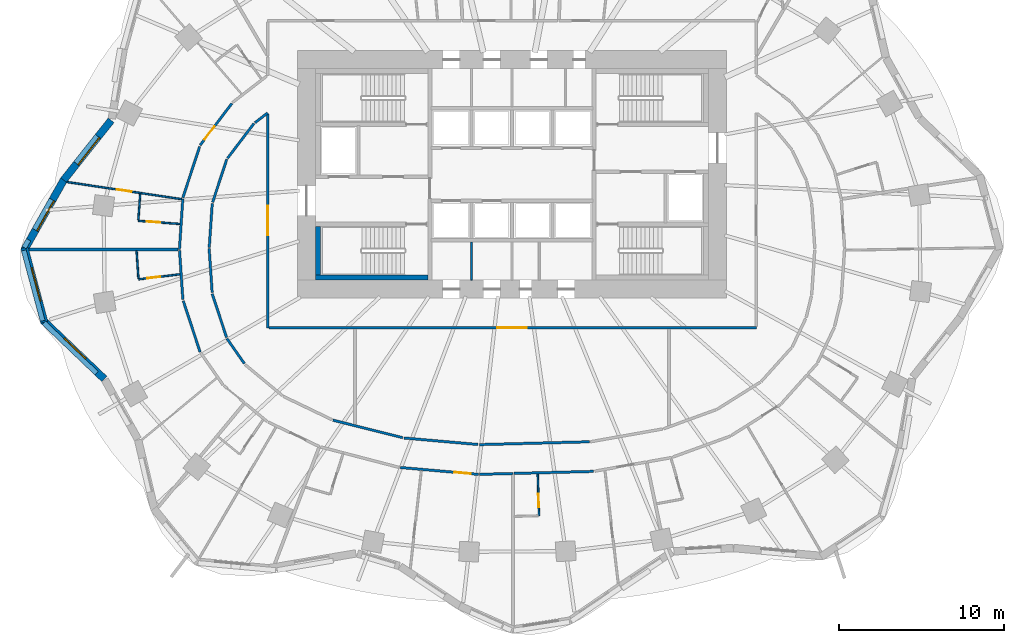
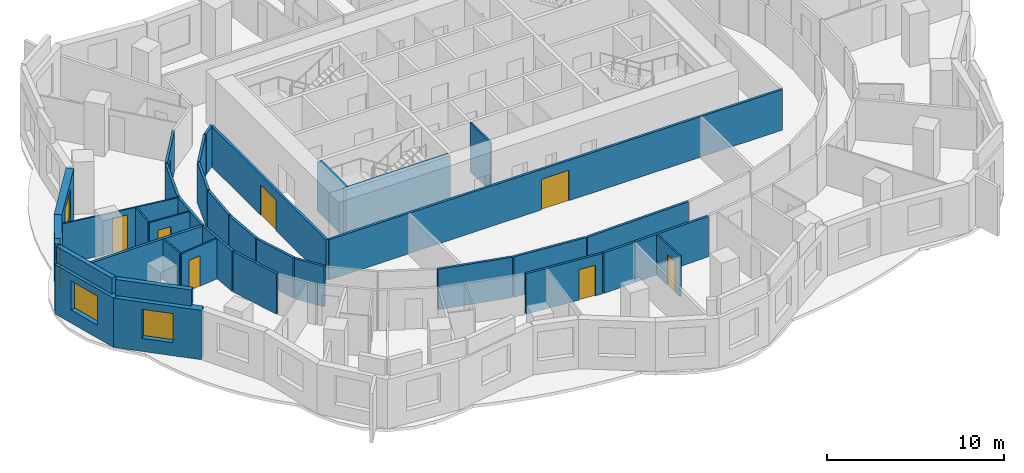
# One storey, part 4 of 11: 37 walls, 8 doors, 4 windows, 12 openings.
"""IFC4 building model written with IfcOpenShell, lengths in metres."""

from ifc_helpers import new_model, si_unit, direction, frame, frame_2d, origin, place, context, subcontext, project, spatial, rectangle, extrude, material, layer, layer_set, type_object, element, fill, save


model = new_model("IFC4")

# Units and contexts
model_context = context("Model", 3, precision=1e-05, world=origin(), true_north=direction((0.0, 1.0)))
body_context = subcontext(model_context, "Body", "Model", "MODEL_VIEW")
ifc_project = project(units=[si_unit("LENGTHUNIT", "METRE"), si_unit("AREAUNIT", "SQUARE_METRE"), si_unit("VOLUMEUNIT", "CUBIC_METRE"), si_unit("PLANEANGLEUNIT", "RADIAN"), si_unit("MASSUNIT", "GRAM", prefix="KILO")], contexts=[model_context])

# Site, building, storey
site_placement = place(None, origin())
site = spatial("IfcSite", under=ifc_project, at=site_placement, CompositionType="ELEMENT")
building_placement = place(site_placement, origin())
building = spatial("IfcBuilding", under=site, at=building_placement, Name="Rubra Terraces Tower", CompositionType="ELEMENT")
storey_placement = place(building_placement, frame((0.0, 0.0, 81.60009765625)))
storey = spatial("IfcBuildingStorey", under=building, at=storey_placement, Name="L18", CompositionType="ELEMENT", Elevation=81.60009765625)

# Wall
ifc_material_1 = material(Name="Twin plasterboard on staggered steel stud, acoustic mineral wool", Category="steel")
ifc_layer_1 = layer(ifc_material_1, 0.175048828125)
ifc_layer_set_1 = layer_set([ifc_layer_1], Name="Twin plasterboard on staggered steel stud, acoustic mineral wool")
wall_type_1 = type_object("IfcWallType", Name="ACOUSTIC PARTY WALL 175", PredefinedType="PARTITIONING", material=ifc_layer_set_1)
wall_1_placement = place(storey_placement, frame((-29.270263671875, -0.06103515625, 0.0), z_axis=(0.0, 0.0, 1.0), x_axis=(0.999999161595, 0.001294916363, 0.0)))
element("IfcWall", 1, at=wall_1_placement, inside=storey, type_object=wall_type_1, Name="PARTITION", PredefinedType="PARTITIONING", context=body_context, shape_type="SweptSolid", body=[
    extrude(rectangle(XDim=9.0498046875, YDim=0.175048828125, at=frame_2d((4.52490234375, 0.0))), origin(), (0.0, 0.0, 1.0), 2.783935546875),
])

# Wall, opening, window
ifc_material_2 = material(Name="Brick masonry red-brown", Category="masonry")
ifc_layer_2 = layer(ifc_material_2, 0.449951171875)
ifc_layer_set_2 = layer_set([ifc_layer_2], Name="Brick masonry red-brown")
wall_type_2 = type_object("IfcWallType", Name="Brick facade wall 450", PredefinedType="SOLIDWALL", material=ifc_layer_set_2)
wall_2_placement = place(storey_placement, frame((-24.2822265625, 7.773681640625, 0.0), z_axis=(0.0, 0.0, 1.0), x_axis=(-0.621735490397, -0.783227285008, 0.0)))
wall_2 = element("IfcWall", 2, at=wall_2_placement, inside=storey, type_object=wall_type_2, Name="Facade wall L18 bay 19", PredefinedType="SOLIDWALL", context=body_context, shape_type="SweptSolid", body=[
    extrude(rectangle(XDim=4.62451171875, YDim=0.449951171875, at=frame_2d((2.312255859375, 0.0))), origin(), (0.0, 0.0, 1.0), 3.39990234375),
])
opening_1_placement = place(wall_2_placement, frame((1.26220703125, 0.0, 0.89990234375)))
opening_1 = element("IfcOpeningElement", 3, at=opening_1_placement, cuts=wall_2, Name="Opening W1", PredefinedType="OPENING", context=body_context, shape_type="SweptSolid", body=[
    extrude(rectangle(XDim=2.10009765625, YDim=2.0, at=frame_2d((1.050048828125, 1.0))), frame((0.0, 0.23486328125, 0.0), z_axis=(0.0, -1.0, 0.0), x_axis=(1.0, 0.0, 0.0)), (0.0, 0.0, 1.0), 0.469970703125),
])
ifc_material_3 = material(Name="Clear glass in aluminium frame", Category="aluminium")
window_type_1 = type_object("IfcWindowType", Name="Fixed deep-set window 2100 x 2000", PartitioningType="SINGLE_PANEL", PredefinedType="WINDOW", material=ifc_material_3)
window_1_placement = place(opening_1_placement, origin())
window_1 = element("IfcWindow", 4, at=window_1_placement, inside=storey, type_object=window_type_1, Name="Window L18 bay 19", OverallHeight=2.0, OverallWidth=2.10009765625, PartitioningType="SINGLE_PANEL", PredefinedType="WINDOW", context=body_context, shape_type="SweptSolid", body=[
    extrude(rectangle(XDim=2.10009765625, YDim=2.0, at=frame_2d((1.050048828125, 1.0))), frame((0.0, 0.135009765625, 0.0), z_axis=(0.0, -1.0, 0.0), x_axis=(1.0, 0.0, 0.0)), (0.0, 0.0, 1.0), 0.06005859375),
])
fill(opening_1, window_1)

wall_3_placement = place(storey_placement, frame((-27.138427734375, 4.180908203125, 0.0), z_axis=(0.0, 0.0, 1.0), x_axis=(-0.491588303761, -0.870827732451, 0.0)))
wall_3 = element("IfcWall", 5, at=wall_3_placement, inside=storey, type_object=wall_type_2, Name="Facade wall L18 bay 20", PredefinedType="SOLIDWALL", context=body_context, shape_type="SweptSolid", body=[
    extrude(rectangle(XDim=4.924072265625, YDim=0.449951171875, at=frame_2d((2.4619140625, 0.0))), origin(), (0.0, 0.0, 1.0), 3.39990234375),
])
opening_2_placement = place(wall_3_placement, frame((1.412109375, 0.0, 0.89990234375)))
opening_2 = element("IfcOpeningElement", 6, at=opening_2_placement, cuts=wall_3, Name="Opening W1", PredefinedType="OPENING", context=body_context, shape_type="SweptSolid", body=[
    extrude(rectangle(XDim=2.10009765625, YDim=2.0, at=frame_2d((1.050048828125, 1.0))), frame((0.0, 0.23486328125, 0.0), z_axis=(0.0, -1.0, 0.0), x_axis=(1.0, 0.0, 0.0)), (0.0, 0.0, 1.0), 0.469970703125),
])
window_2_placement = place(opening_2_placement, origin())
window_2 = element("IfcWindow", 7, at=window_2_placement, inside=storey, type_object=window_type_1, Name="Window L18 bay 20", OverallHeight=2.0, OverallWidth=2.10009765625, PartitioningType="SINGLE_PANEL", PredefinedType="WINDOW", context=body_context, shape_type="SweptSolid", body=[
    extrude(rectangle(XDim=2.10009765625, YDim=2.0, at=frame_2d((1.050048828125, 1.0))), frame((0.0, 0.135009765625, 0.0), z_axis=(0.0, -1.0, 0.0), x_axis=(1.0, 0.0, 0.0)), (0.0, 0.0, 1.0), 0.06005859375),
])
fill(opening_2, window_2)

wall_4_placement = place(storey_placement, frame((-29.539794921875, 0.05810546875, 0.0), z_axis=(0.0, 0.0, 1.0), x_axis=(0.258581372102, -0.96598947924, 0.0)))
wall_4 = element("IfcWall", 8, at=wall_4_placement, inside=storey, type_object=wall_type_2, Name="Facade wall L18 bay 21", PredefinedType="SOLIDWALL", context=body_context, shape_type="SweptSolid", body=[
    extrude(rectangle(XDim=4.68017578125, YDim=0.449951171875, at=frame_2d((2.340087890625, 0.0))), origin(), (0.0, 0.0, 1.0), 3.39990234375),
])
opening_3_placement = place(wall_4_placement, frame((1.2900390625, 0.0, 0.89990234375)))
opening_3 = element("IfcOpeningElement", 9, at=opening_3_placement, cuts=wall_4, Name="Opening W1", PredefinedType="OPENING", context=body_context, shape_type="SweptSolid", body=[
    extrude(rectangle(XDim=2.10009765625, YDim=2.0, at=frame_2d((1.050048828125, 1.0))), frame((0.0, 0.23486328125, 0.0), z_axis=(0.0, -1.0, 0.0), x_axis=(1.0, 0.0, 0.0)), (0.0, 0.0, 1.0), 0.469970703125),
])
window_3_placement = place(opening_3_placement, origin())
window_3 = element("IfcWindow", 10, at=window_3_placement, inside=storey, type_object=window_type_1, Name="Window L18 bay 21", OverallHeight=2.0, OverallWidth=2.10009765625, PartitioningType="SINGLE_PANEL", PredefinedType="WINDOW", context=body_context, shape_type="SweptSolid", body=[
    extrude(rectangle(XDim=2.10009765625, YDim=2.0, at=frame_2d((1.050048828125, 1.0))), frame((0.0, 0.135009765625, 0.0), z_axis=(0.0, -1.0, 0.0), x_axis=(1.0, 0.0, 0.0)), (0.0, 0.0, 1.0), 0.06005859375),
])
fill(opening_3, window_3)

wall_5_placement = place(storey_placement, frame((-28.38720703125, -4.362548828125, 0.0), z_axis=(0.0, 0.0, 1.0), x_axis=(0.722717697728, -0.691143349379, 0.0)))
wall_5 = element("IfcWall", 11, at=wall_5_placement, inside=storey, type_object=wall_type_2, Name="Facade wall L18 bay 22", PredefinedType="SOLIDWALL", context=body_context, shape_type="SweptSolid", body=[
    extrude(rectangle(XDim=5.103271484375, YDim=0.449951171875, at=frame_2d((2.5517578125, 0.0))), origin(), (0.0, 0.0, 1.0), 3.39990234375),
])
opening_4_placement = place(wall_5_placement, frame((1.651611328125, 0.0, 0.89990234375)))
opening_4 = element("IfcOpeningElement", 12, at=opening_4_placement, cuts=wall_5, Name="Opening W6", PredefinedType="OPENING", context=body_context, shape_type="SweptSolid", body=[
    extrude(rectangle(XDim=1.800048828125, YDim=2.0, at=frame_2d((0.89990234375, 1.0))), frame((0.0, 0.23486328125, 0.0), z_axis=(0.0, -1.0, 0.0), x_axis=(1.0, 0.0, 0.0)), (0.0, 0.0, 1.0), 0.469970703125),
])
window_type_2 = type_object("IfcWindowType", Name="Fixed deep-set window at wind fin 1800 x 2000", PartitioningType="SINGLE_PANEL", PredefinedType="WINDOW", material=ifc_material_3)
window_4_placement = place(opening_4_placement, origin())
window_4 = element("IfcWindow", 13, at=window_4_placement, inside=storey, type_object=window_type_2, Name="Window L18 bay 22", OverallHeight=2.0, OverallWidth=1.800048828125, PartitioningType="SINGLE_PANEL", PredefinedType="WINDOW", context=body_context, shape_type="SweptSolid", body=[
    extrude(rectangle(XDim=1.800048828125, YDim=2.0, at=frame_2d((0.89990234375, 1.0))), frame((0.0, 0.135009765625, 0.0), z_axis=(0.0, -1.0, 0.0), x_axis=(1.0, 0.0, 0.0)), (0.0, 0.0, 1.0), 0.06005859375),
])
fill(opening_4, window_4)

# Walls
ifc_layer_3 = layer(ifc_material_2, 0.300048828125)
ifc_layer_set_3 = layer_set([ifc_layer_3], Name="Brick masonry red-brown")
wall_type_3 = type_object("IfcWallType", Name="Brick parapet 300", PredefinedType="PARAPET", material=ifc_layer_set_3)
wall_6_placement = place(storey_placement, frame((-29.27880859375, 0.541748046875, 3.599853515625), z_axis=(0.0, 0.0, 1.0), x_axis=(-0.491912136679, -0.870644847103, 0.0)))
element("IfcWall", 14, at=wall_6_placement, inside=storey, type_object=wall_type_3, Name="Parapet L18 bay 20", PredefinedType="PARAPET", context=body_context, shape_type="SweptSolid", body=[
    extrude(rectangle(XDim=0.554443359375, YDim=0.300048828125, at=frame_2d((0.27734375, 0.0))), origin(), (0.0, 0.0, 1.0), 1.10009765625),
])
for number, where, z_axis, x_axis, name in (
    (15, (-29.57275390625, -0.1083984375, 3.599853515625), (0.0, 0.0, 1.0), (0.258523195294, -0.96600505045, 0.0), "Parapet L18 bay 21"),
    (16, (-28.36083984375, -4.491455078125, 3.599853515625), (0.0, 0.0, 1.0), (0.722694709068, -0.691167387457, 0.0), "Parapet L18 bay 22"),
):
    element("IfcWall", number, at=place(storey_placement, frame(where, z_axis=z_axis, x_axis=x_axis)), inside=storey, type_object=wall_type_3, Name=name, PredefinedType="PARAPET", context=body_context, shape_type="SweptSolid", body=[
        extrude(rectangle(XDim=4.4140625, YDim=0.300048828125, at=frame_2d((2.20703125, 0.0))), origin(), (0.0, 0.0, 1.0), 1.10009765625),
    ])

# Wall, opening, door
ifc_material_4 = material(Name="Plasterboard on steel stud, mineral wool infill", Category="steel")
ifc_layer_4 = layer(ifc_material_4, 0.14990234375)
ifc_layer_set_4 = layer_set([ifc_layer_4], Name="Plasterboard on steel stud, mineral wool infill")
wall_type_4 = type_object("IfcWallType", Name="CORRIDOR PARTITION 150", PredefinedType="PARTITIONING", material=ifc_layer_set_4)
wall_7_placement = place(storey_placement, frame((-16.966796875, 8.799560546875, 0.0), z_axis=(0.0, 0.0, 1.0), x_axis=(-0.604991921991, -0.796231608469, 0.0)))
wall_7 = element("IfcWall", 17, at=wall_7_placement, inside=storey, type_object=wall_type_4, Name="PARTITION", PredefinedType="PARTITIONING", context=body_context, shape_type="SweptSolid", body=[
    extrude(rectangle(XDim=3.18505859375, YDim=0.14990234375, at=frame_2d((1.592529296875, 0.0))), origin(), (0.0, 0.0, 1.0), 2.783935546875),
])
opening_5_placement = place(wall_7_placement, frame((1.75, 0.0, 0.0)))
opening_5 = element("IfcOpeningElement", 18, at=opening_5_placement, cuts=wall_7, Name="Opening 18-117", PredefinedType="OPENING", context=body_context, shape_type="SweptSolid", body=[
    extrude(rectangle(XDim=1.0, YDim=2.10009765625, at=frame_2d((0.5, 1.050048828125))), frame((0.0, 0.0849609375, 0.0), z_axis=(0.0, -1.0, 0.0), x_axis=(1.0, 0.0, 0.0)), (0.0, 0.0, 1.0), 0.169921875),
])
ifc_material_5 = material(Name="Painted timber door leaf", Category="wood")
door_type_1 = type_object("IfcDoorType", Name="ROOM DOOR 1000 X 2100", OperationType="SINGLE_SWING_LEFT", PredefinedType="DOOR", material=ifc_material_5)
door_1_placement = place(opening_5_placement, origin())
door_1 = element("IfcDoor", 19, at=door_1_placement, inside=storey, type_object=door_type_1, Name="DOOR 18-117", OperationType="SINGLE_SWING_RIGHT", OverallHeight=2.10009765625, OverallWidth=1.0, PredefinedType="DOOR", context=body_context, shape_type="SweptSolid", body=[
    extrude(rectangle(XDim=1.0, YDim=2.10009765625, at=frame_2d((0.5, 1.050048828125))), frame((0.0, 0.02490234375, 0.0), z_axis=(0.0, -1.0, 0.0), x_axis=(1.0, 0.0, 0.0)), (0.0, 0.0, 1.0), 0.050048828125),
])
fill(opening_5, door_1)

# Walls
wall_8_placement = place(storey_placement, frame((-18.917236328125, 6.192138671875, 0.0), z_axis=(0.0, 0.0, 1.0), x_axis=(-0.31208108916, -0.950055468796, 0.0)))
element("IfcWall", 20, at=wall_8_placement, inside=storey, type_object=wall_type_4, Name="PARTITION", PredefinedType="PARTITIONING", context=body_context, shape_type="SweptSolid", body=[
    extrude(rectangle(XDim=3.27001953125, YDim=0.14990234375, at=frame_2d((1.635009765625, 0.0))), origin(), (0.0, 0.0, 1.0), 2.783935546875),
])
wall_9_placement = place(storey_placement, frame((-19.942626953125, 3.0107421875, 0.0), z_axis=(0.0, 0.0, 1.0), x_axis=(-0.066159683944, -0.997809047975, 0.0)))
element("IfcWall", 21, at=wall_9_placement, inside=storey, type_object=wall_type_4, Name="PARTITION", PredefinedType="PARTITIONING", context=body_context, shape_type="SweptSolid", body=[
    extrude(rectangle(XDim=3.066650390625, YDim=0.14990234375, at=frame_2d((1.533203125, 0.0))), origin(), (0.0, 0.0, 1.0), 2.783935546875),
])
wall_10_placement = place(storey_placement, frame((-20.140380859375, -0.123779296875, 0.0), z_axis=(0.0, 0.0, 1.0), x_axis=(0.068260165727, -0.997667554737, 0.0)))
element("IfcWall", 22, at=wall_10_placement, inside=storey, type_object=wall_type_4, Name="PARTITION", PredefinedType="PARTITIONING", context=body_context, shape_type="SweptSolid", body=[
    extrude(rectangle(XDim=2.968505859375, YDim=0.14990234375, at=frame_2d((1.484375, 0.0))), origin(), (0.0, 0.0, 1.0), 2.783935546875),
])
wall_11_placement = place(storey_placement, frame((-19.914306640625, -3.15673828125, 0.0), z_axis=(0.0, 0.0, 1.0), x_axis=(0.31208108916, -0.950055468796, 0.0)))
element("IfcWall", 23, at=wall_11_placement, inside=storey, type_object=wall_type_4, Name="PARTITION", PredefinedType="PARTITIONING", context=body_context, shape_type="SweptSolid", body=[
    extrude(rectangle(XDim=3.27001953125, YDim=0.14990234375, at=frame_2d((1.635009765625, 0.0))), origin(), (0.0, 0.0, 1.0), 2.783935546875),
])

# Wall, opening, door
wall_12_placement = place(storey_placement, frame((-6.76953125, -13.256591796875, 0.0), z_axis=(0.0, 0.0, 1.0), x_axis=(0.996139758015, -0.08778144737, 0.0)))
wall_12 = element("IfcWall", 24, at=wall_12_placement, inside=storey, type_object=wall_type_4, Name="PARTITION", PredefinedType="PARTITIONING", context=body_context, shape_type="SweptSolid", body=[
    extrude(rectangle(XDim=4.755859375, YDim=0.14990234375, at=frame_2d((2.3779296875, 0.0))), origin(), (0.0, 0.0, 1.0), 2.783935546875),
])
opening_6_placement = place(wall_12_placement, frame((3.300048828125, 0.0, 0.0)))
opening_6 = element("IfcOpeningElement", 25, at=opening_6_placement, cuts=wall_12, Name="Opening 18-126", PredefinedType="OPENING", context=body_context, shape_type="SweptSolid", body=[
    extrude(rectangle(XDim=1.0, YDim=2.10009765625, at=frame_2d((0.5, 1.050048828125))), frame((0.0, 0.0849609375, 0.0), z_axis=(0.0, -1.0, 0.0), x_axis=(1.0, 0.0, 0.0)), (0.0, 0.0, 1.0), 0.169921875),
])
door_2_placement = place(opening_6_placement, origin())
door_2 = element("IfcDoor", 26, at=door_2_placement, inside=storey, type_object=door_type_1, Name="DOOR 18-126", OperationType="SINGLE_SWING_RIGHT", OverallHeight=2.10009765625, OverallWidth=1.0, PredefinedType="DOOR", context=body_context, shape_type="SweptSolid", body=[
    extrude(rectangle(XDim=1.0, YDim=2.10009765625, at=frame_2d((0.5, 1.050048828125))), frame((0.0, 0.02490234375, 0.0), z_axis=(0.0, -1.0, 0.0), x_axis=(1.0, 0.0, 0.0)), (0.0, 0.0, 1.0), 0.050048828125),
])
fill(opening_6, door_2)

# Walls
wall_13_placement = place(storey_placement, frame((-1.95703125, -13.672119140625, 0.0), z_axis=(0.0, 0.0, 1.0), x_axis=(0.999663662109, 0.025933813031, 0.0)))
element("IfcWall", 27, at=wall_13_placement, inside=storey, type_object=wall_type_4, Name="PARTITION", PredefinedType="PARTITIONING", context=body_context, shape_type="SweptSolid", body=[
    extrude(rectangle(XDim=2.0146484375, YDim=0.14990234375, at=frame_2d((1.00732421875, 0.0))), origin(), (0.0, 0.0, 1.0), 2.783935546875),
])
wall_14_placement = place(storey_placement, frame((0.132080078125, -13.617919921875, 0.0), z_axis=(0.0, 0.0, 1.0), x_axis=(0.999664963682, 0.025883593008, 0.0)))
element("IfcWall", 28, at=wall_14_placement, inside=storey, type_object=wall_type_4, Name="PARTITION", PredefinedType="PARTITIONING", context=body_context, shape_type="SweptSolid", body=[
    extrude(rectangle(XDim=4.810546875, YDim=0.14990234375, at=frame_2d((2.4052734375, 0.0))), origin(), (0.0, 0.0, 1.0), 2.783935546875),
])
wall_15_placement = place(storey_placement, frame((4.684326171875, -11.69921875, 0.0), z_axis=(0.0, 0.0, 1.0), x_axis=(-0.999663438204, -0.025942442425, 0.0)))
element("IfcWall", 29, at=wall_15_placement, inside=storey, type_object=wall_type_4, Name="PARTITION", PredefinedType="PARTITIONING", context=body_context, shape_type="SweptSolid", body=[
    extrude(rectangle(XDim=6.662841796875, YDim=0.14990234375, at=frame_2d((3.33154296875, 0.0))), origin(), (0.0, 0.0, 1.0), 2.783935546875),
])
wall_16_placement = place(storey_placement, frame((-2.05078125, -11.865478515625, 0.0), z_axis=(0.0, 0.0, 1.0), x_axis=(-0.996139599493, 0.087783246245, 0.0)))
element("IfcWall", 30, at=wall_16_placement, inside=storey, type_object=wall_type_4, Name="PARTITION", PredefinedType="PARTITIONING", context=body_context, shape_type="SweptSolid", body=[
    extrude(rectangle(XDim=4.510986328125, YDim=0.14990234375, at=frame_2d((2.25537109375, 0.0))), origin(), (0.0, 0.0, 1.0), 2.783935546875),
])
wall_17_placement = place(storey_placement, frame((-6.6171875, -11.451416015625, 0.0), z_axis=(0.0, 0.0, 1.0), x_axis=(-0.969987441267, 0.243155020069, 0.0)))
element("IfcWall", 31, at=wall_17_placement, inside=storey, type_object=wall_type_4, Name="PARTITION", PredefinedType="PARTITIONING", context=body_context, shape_type="SweptSolid", body=[
    extrude(rectangle(XDim=4.358642578125, YDim=0.14990234375, at=frame_2d((2.17919921875, 0.0))), origin(), (0.0, 0.0, 1.0), 2.783935546875),
])
wall_18_placement = place(storey_placement, frame((-16.20947265625, -6.9658203125, 0.0), z_axis=(0.0, 0.0, 1.0), x_axis=(-0.572051367607, 0.820217795966, 0.0)))
element("IfcWall", 32, at=wall_18_placement, inside=storey, type_object=wall_type_4, Name="PARTITION", PredefinedType="PARTITIONING", context=body_context, shape_type="SweptSolid", body=[
    extrude(rectangle(XDim=1.84765625, YDim=0.14990234375, at=frame_2d((0.923828125, 0.0))), origin(), (0.0, 0.0, 1.0), 2.783935546875),
])
wall_19_placement = place(storey_placement, frame((-17.289794921875, -5.379150390625, 0.0), z_axis=(0.0, 0.0, 1.0), x_axis=(-0.312009486843, 0.950078986253, 0.0)))
element("IfcWall", 33, at=wall_19_placement, inside=storey, type_object=wall_type_4, Name="PARTITION", PredefinedType="PARTITIONING", context=body_context, shape_type="SweptSolid", body=[
    extrude(rectangle(XDim=2.780029296875, YDim=0.14990234375, at=frame_2d((1.39013671875, 0.0))), origin(), (0.0, 0.0, 1.0), 2.783935546875),
])
for number, where, z_axis, x_axis, name in (
    (34, (-18.162353515625, -2.6630859375, 0.0), (0.0, 0.0, 1.0), (-0.068321828968, 0.997663333839, 0.0), "PARTITION"),
    (35, (-18.339599609375, 0.07470703125, 0.0), (0.0, 0.0, 1.0), (0.068321828968, 0.997663333839, 0.0), "PARTITION"),
):
    element("IfcWall", number, at=place(storey_placement, frame(where, z_axis=z_axis, x_axis=x_axis)), inside=storey, type_object=wall_type_4, Name=name, PredefinedType="PARTITIONING", context=body_context, shape_type="SweptSolid", body=[
        extrude(rectangle(XDim=2.66943359375, YDim=0.14990234375, at=frame_2d((1.334716796875, 0.0))), origin(), (0.0, 0.0, 1.0), 2.783935546875),
    ])
wall_20_placement = place(storey_placement, frame((-18.1337890625, 2.80908203125, 0.0), z_axis=(0.0, 0.0, 1.0), x_axis=(0.312005223814, 0.950080386237, 0.0)))
element("IfcWall", 36, at=wall_20_placement, inside=storey, type_object=wall_type_4, Name="PARTITION", PredefinedType="PARTITIONING", context=body_context, shape_type="SweptSolid", body=[
    extrude(rectangle(XDim=2.74267578125, YDim=0.14990234375, at=frame_2d((1.371337890625, 0.0))), origin(), (0.0, 0.0, 1.0), 2.783935546875),
])
wall_21_placement = place(storey_placement, frame((-17.232666015625, 5.474609375, 0.0), z_axis=(0.0, 0.0, 1.0), x_axis=(0.605024750549, 0.796206663639, 0.0)))
element("IfcWall", 37, at=wall_21_placement, inside=storey, type_object=wall_type_4, Name="PARTITION", PredefinedType="PARTITIONING", context=body_context, shape_type="SweptSolid", body=[
    extrude(rectangle(XDim=2.644775390625, YDim=0.14990234375, at=frame_2d((1.322265625, 0.0))), origin(), (0.0, 0.0, 1.0), 2.783935546875),
])
wall_22_placement = place(storey_placement, frame((-15.572998046875, 7.626220703125, 0.0), z_axis=(0.0, 0.0, 1.0), x_axis=(0.791581834002, 0.611063171921, 0.0)))
element("IfcWall", 38, at=wall_22_placement, inside=storey, type_object=wall_type_4, Name="PARTITION", PredefinedType="PARTITIONING", context=body_context, shape_type="SweptSolid", body=[
    extrude(rectangle(XDim=0.9765625, YDim=0.14990234375, at=frame_2d((0.48828125, 0.0))), origin(), (0.0, 0.0, 1.0), 2.783935546875),
])

# Wall, opening, door
wall_23_placement = place(storey_placement, frame((-14.800048828125, 8.14794921875, 0.0), z_axis=(0.0, 0.0, 1.0), x_axis=(0.0, -1.0, 0.0)))
wall_23 = element("IfcWall", 39, at=wall_23_placement, inside=storey, type_object=wall_type_4, Name="PARTITION", PredefinedType="PARTITIONING", context=body_context, shape_type="SweptSolid", body=[
    extrude(rectangle(XDim=12.947998046875, YDim=0.14990234375, at=frame_2d((6.47412109375, 0.0))), origin(), (0.0, 0.0, 1.0), 2.783935546875),
])
opening_7_placement = place(wall_23_placement, frame((5.535888671875, 0.0, 0.0)))
opening_7 = element("IfcOpeningElement", 40, at=opening_7_placement, cuts=wall_23, Name="Opening 18-136", PredefinedType="OPENING", context=body_context, shape_type="SweptSolid", body=[
    extrude(rectangle(XDim=1.800048828125, YDim=2.10009765625, at=frame_2d((0.89990234375, 1.050048828125))), frame((0.0, 0.0849609375, 0.0), z_axis=(0.0, -1.0, 0.0), x_axis=(1.0, 0.0, 0.0)), (0.0, 0.0, 1.0), 0.169921875),
])
ifc_material_6 = material(Name="Painted timber door leaf, double", Category="wood")
door_type_2 = type_object("IfcDoorType", Name="ROOM DOUBLE DOOR 1800 X 2100", OperationType="DOUBLE_DOOR_SINGLE_SWING", PredefinedType="DOOR", material=ifc_material_6)
door_3_placement = place(opening_7_placement, origin())
door_3 = element("IfcDoor", 41, at=door_3_placement, inside=storey, type_object=door_type_2, Name="DOOR 18-136", OperationType="DOUBLE_DOOR_SINGLE_SWING", OverallHeight=2.10009765625, OverallWidth=1.800048828125, PredefinedType="DOOR", context=body_context, shape_type="SweptSolid", body=[
    extrude(rectangle(XDim=1.800048828125, YDim=2.10009765625, at=frame_2d((0.89990234375, 1.050048828125))), frame((0.0, 0.02490234375, 0.0), z_axis=(0.0, -1.0, 0.0), x_axis=(1.0, 0.0, 0.0)), (0.0, 0.0, 1.0), 0.050048828125),
])
fill(opening_7, door_3)

wall_24_placement = place(storey_placement, frame((-14.72509765625, -4.800048828125, 0.0), z_axis=(0.0, 0.0, 1.0), x_axis=(1.0, 0.0, 0.0)))
wall_24 = element("IfcWall", 42, at=wall_24_placement, inside=storey, type_object=wall_type_4, Name="PARTITION", PredefinedType="PARTITIONING", context=body_context, shape_type="SweptSolid", body=[
    extrude(rectangle(XDim=29.525146484375, YDim=0.14990234375, at=frame_2d((14.7626953125, 0.0))), origin(), (0.0, 0.0, 1.0), 2.783935546875),
])
opening_8_placement = place(wall_24_placement, frame((13.824951171875, 0.0, 0.0)))
opening_8 = element("IfcOpeningElement", 43, at=opening_8_placement, cuts=wall_24, Name="Opening 18-137", PredefinedType="OPENING", context=body_context, shape_type="SweptSolid", body=[
    extrude(rectangle(XDim=1.800048828125, YDim=2.10009765625, at=frame_2d((0.89990234375, 1.050048828125))), frame((0.0, 0.0849609375, 0.0), z_axis=(0.0, -1.0, 0.0), x_axis=(1.0, 0.0, 0.0)), (0.0, 0.0, 1.0), 0.169921875),
])
door_4_placement = place(opening_8_placement, origin())
door_4 = element("IfcDoor", 44, at=door_4_placement, inside=storey, type_object=door_type_2, Name="DOOR 18-137", OperationType="DOUBLE_DOOR_SINGLE_SWING", OverallHeight=2.10009765625, OverallWidth=1.800048828125, PredefinedType="DOOR", context=body_context, shape_type="SweptSolid", body=[
    extrude(rectangle(XDim=1.800048828125, YDim=2.10009765625, at=frame_2d((0.89990234375, 1.050048828125))), frame((0.0, 0.02490234375, 0.0), z_axis=(0.0, -1.0, 0.0), x_axis=(1.0, 0.0, 0.0)), (0.0, 0.0, 1.0), 0.050048828125),
])
fill(opening_8, door_4)

# Walls
ifc_material_7 = material(Name="Concrete C40", Category="concrete")
ifc_layer_5 = layer(ifc_material_7, 0.300048828125)
ifc_layer_set_5 = layer_set([ifc_layer_5], Name="Concrete C40")
wall_type_5 = type_object("IfcWallType", Name="Core lining wall 300 concrete", PredefinedType="SOLIDWALL", material=ifc_layer_set_5)
wall_25_placement = place(storey_placement, frame((-11.89990234375, -1.75, 0.0), z_axis=(0.0, 0.0, 1.0), x_axis=(1.0, 0.0, 0.0)))
element("IfcWall", 45, at=wall_25_placement, inside=storey, type_object=wall_type_5, Name="CORE LINING WALL L18", PredefinedType="SOLIDWALL", context=body_context, shape_type="SweptSolid", body=[
    extrude(rectangle(XDim=6.7998046875, YDim=0.300048828125, at=frame_2d((3.39990234375, 0.0))), origin(), (0.0, 0.0, 1.0), 3.39990234375),
])
wall_26_placement = place(storey_placement, frame((-11.75, -1.60009765625, 0.0), z_axis=(0.0, 0.0, 1.0), x_axis=(0.0, 1.0, 0.0)))
element("IfcWall", 46, at=wall_26_placement, inside=storey, type_object=wall_type_5, Name="CORE LINING WALL L18", PredefinedType="SOLIDWALL", context=body_context, shape_type="SweptSolid", body=[
    extrude(rectangle(XDim=2.9501953125, YDim=0.300048828125, at=frame_2d((1.47509765625, 0.0))), origin(), (0.0, 0.0, 1.0), 3.39990234375),
])

# Wall, opening, door
ifc_material_8 = material(Name="Plasterboard on steel stud", Category="steel")
ifc_layer_6 = layer(ifc_material_8, 0.10009765625)
ifc_layer_set_6 = layer_set([ifc_layer_6], Name="Plasterboard on steel stud")
wall_type_6 = type_object("IfcWallType", Name="ROOM PARTITION 100", PredefinedType="PARTITIONING", material=ifc_layer_set_6)
wall_27_placement = place(storey_placement, frame((-26.957275390625, 4.03564453125, 0.0), z_axis=(0.0, 0.0, 1.0), x_axis=(0.98899243715, -0.147966074693, 0.0)))
wall_27 = element("IfcWall", 47, at=wall_27_placement, inside=storey, type_object=wall_type_6, Name="PARTITION", PredefinedType="PARTITIONING", context=body_context, shape_type="SweptSolid", body=[
    extrude(rectangle(XDim=7.015625, YDim=0.10009765625, at=frame_2d((3.5078125, 0.0))), origin(), (0.0, 0.0, 1.0), 2.783935546875),
])
opening_9_placement = place(wall_27_placement, frame((3.050048828125, 0.0, 0.0)))
opening_9 = element("IfcOpeningElement", 48, at=opening_9_placement, cuts=wall_27, Name="Opening 18-116", PredefinedType="OPENING", context=body_context, shape_type="SweptSolid", body=[
    extrude(rectangle(XDim=0.89990234375, YDim=2.39990234375, at=frame_2d((0.449951171875, 1.199951171875))), frame((0.0, 0.06005859375, 0.0), z_axis=(0.0, -1.0, 0.0), x_axis=(1.0, 0.0, 0.0)), (0.0, 0.0, 1.0), 0.1201171875),
])
ifc_material_9 = material(Name="Veneered timber door leaf, fire-rated", Category="wood")
door_type_3 = type_object("IfcDoorType", Name="SUITE ENTRANCE DOOR 900 X 2400", OperationType="SINGLE_SWING_LEFT", PredefinedType="DOOR", material=ifc_material_9)
door_5_placement = place(opening_9_placement, origin())
door_5 = element("IfcDoor", 49, at=door_5_placement, inside=storey, type_object=door_type_3, Name="DOOR 18-116", OperationType="SINGLE_SWING_LEFT", OverallHeight=2.39990234375, OverallWidth=0.89990234375, PredefinedType="DOOR", context=body_context, shape_type="SweptSolid", body=[
    extrude(rectangle(XDim=0.89990234375, YDim=2.39990234375, at=frame_2d((0.449951171875, 1.199951171875))), frame((0.0, 0.02490234375, 0.0), z_axis=(0.0, -1.0, 0.0), x_axis=(1.0, 0.0, 0.0)), (0.0, 0.0, 1.0), 0.050048828125),
])
fill(opening_9, door_5)

wall_28_placement = place(storey_placement, frame((-20.12158203125, 1.49560546875, 0.0), z_axis=(0.0, 0.0, 1.0), x_axis=(-0.997217667484, 0.074544776191, 0.0)))
wall_28 = element("IfcWall", 50, at=wall_28_placement, inside=storey, type_object=wall_type_6, Name="PARTITION", PredefinedType="PARTITIONING", context=body_context, shape_type="SweptSolid", body=[
    extrude(rectangle(XDim=2.525146484375, YDim=0.10009765625, at=frame_2d((1.2626953125, 0.0))), origin(), (0.0, 0.0, 1.0), 2.783935546875),
])
opening_10_placement = place(wall_28_placement, frame((1.199951171875, 0.0, 0.0)))
opening_10 = element("IfcOpeningElement", 51, at=opening_10_placement, cuts=wall_28, Name="Opening 18-114", PredefinedType="OPENING", context=body_context, shape_type="SweptSolid", body=[
    extrude(rectangle(XDim=0.800048828125, YDim=2.10009765625, at=frame_2d((0.39990234375, 1.050048828125))), frame((0.0, 0.06005859375, 0.0), z_axis=(0.0, -1.0, 0.0), x_axis=(1.0, 0.0, 0.0)), (0.0, 0.0, 1.0), 0.1201171875),
])
door_type_4 = type_object("IfcDoorType", Name="BATHROOM DOOR 800 X 2100", OperationType="SINGLE_SWING_LEFT", PredefinedType="DOOR", material=ifc_material_5)
door_6_placement = place(opening_10_placement, origin())
door_6 = element("IfcDoor", 52, at=door_6_placement, inside=storey, type_object=door_type_4, Name="DOOR 18-114", OperationType="SINGLE_SWING_RIGHT", OverallHeight=2.10009765625, OverallWidth=0.800048828125, PredefinedType="DOOR", context=body_context, shape_type="SweptSolid", body=[
    extrude(rectangle(XDim=0.800048828125, YDim=2.10009765625, at=frame_2d((0.39990234375, 1.050048828125))), frame((0.0, 0.02490234375, 0.0), z_axis=(0.0, -1.0, 0.0), x_axis=(1.0, 0.0, 0.0)), (0.0, 0.0, 1.0), 0.050048828125),
])
fill(opening_10, door_6)

# Wall
wall_29_placement = place(storey_placement, frame((-22.635986328125, 1.733642578125, 0.0), z_axis=(0.0, 0.0, 1.0), x_axis=(0.07315422809, 0.997320639971, 0.0)))
element("IfcWall", 53, at=wall_29_placement, inside=storey, type_object=wall_type_6, Name="PARTITION", PredefinedType="PARTITIONING", context=body_context, shape_type="SweptSolid", body=[
    extrude(rectangle(XDim=1.591796875, YDim=0.10009765625, at=frame_2d((0.7958984375, 0.0))), origin(), (0.0, 0.0, 1.0), 2.783935546875),
])

# Wall, opening, door
wall_30_placement = place(storey_placement, frame((-20.117431640625, -1.5546875, 0.0), z_axis=(0.0, 0.0, 1.0), x_axis=(-0.992658340374, -0.120952136341, 0.0)))
wall_30 = element("IfcWall", 54, at=wall_30_placement, inside=storey, type_object=wall_type_6, Name="PARTITION", PredefinedType="PARTITIONING", context=body_context, shape_type="SweptSolid", body=[
    extrude(rectangle(XDim=2.525146484375, YDim=0.10009765625, at=frame_2d((1.2626953125, 0.0))), origin(), (0.0, 0.0, 1.0), 2.783935546875),
])
opening_11_placement = place(wall_30_placement, frame((1.199951171875, 0.0, 0.0)))
opening_11 = element("IfcOpeningElement", 55, at=opening_11_placement, cuts=wall_30, Name="Opening 18-118", PredefinedType="OPENING", context=body_context, shape_type="SweptSolid", body=[
    extrude(rectangle(XDim=0.800048828125, YDim=2.10009765625, at=frame_2d((0.39990234375, 1.050048828125))), frame((0.0, 0.06005859375, 0.0), z_axis=(0.0, -1.0, 0.0), x_axis=(1.0, 0.0, 0.0)), (0.0, 0.0, 1.0), 0.1201171875),
])
door_7_placement = place(opening_11_placement, origin())
door_7 = element("IfcDoor", 56, at=door_7_placement, inside=storey, type_object=door_type_4, Name="DOOR 18-118", OperationType="SINGLE_SWING_LEFT", OverallHeight=2.10009765625, OverallWidth=0.800048828125, PredefinedType="DOOR", context=body_context, shape_type="SweptSolid", body=[
    extrude(rectangle(XDim=0.800048828125, YDim=2.10009765625, at=frame_2d((0.39990234375, 1.050048828125))), frame((0.0, 0.02490234375, 0.0), z_axis=(0.0, -1.0, 0.0), x_axis=(1.0, 0.0, 0.0)), (0.0, 0.0, 1.0), 0.050048828125),
])
fill(opening_11, door_7)

# Wall
wall_31_placement = place(storey_placement, frame((-22.62744140625, -1.810302734375, 0.0), z_axis=(0.0, 0.0, 1.0), x_axis=(-0.067008899177, 0.997752377813, 0.0)))
element("IfcWall", 57, at=wall_31_placement, inside=storey, type_object=wall_type_6, Name="PARTITION", PredefinedType="PARTITIONING", context=body_context, shape_type="SweptSolid", body=[
    extrude(rectangle(XDim=1.68701171875, YDim=0.10009765625, at=frame_2d((0.843505859375, 0.0))), origin(), (0.0, 0.0, 1.0), 2.783935546875),
])

# Wall, opening, door
wall_32_placement = place(storey_placement, frame((1.558837890625, -13.656005859375, 0.0), z_axis=(0.0, 0.0, 1.0), x_axis=(0.031907900589, -0.999490813304, 0.0)))
wall_32 = element("IfcWall", 58, at=wall_32_placement, inside=storey, type_object=wall_type_6, Name="PARTITION", PredefinedType="PARTITIONING", context=body_context, shape_type="SweptSolid", body=[
    extrude(rectangle(XDim=2.52490234375, YDim=0.10009765625, at=frame_2d((1.262451171875, 0.0))), origin(), (0.0, 0.0, 1.0), 2.783935546875),
])
opening_12_placement = place(wall_32_placement, frame((1.199951171875, 0.0, 0.0)))
opening_12 = element("IfcOpeningElement", 59, at=opening_12_placement, cuts=wall_32, Name="Opening 18-127", PredefinedType="OPENING", context=body_context, shape_type="SweptSolid", body=[
    extrude(rectangle(XDim=0.800048828125, YDim=2.10009765625, at=frame_2d((0.39990234375, 1.050048828125))), frame((0.0, 0.06005859375, 0.0), z_axis=(0.0, -1.0, 0.0), x_axis=(1.0, 0.0, 0.0)), (0.0, 0.0, 1.0), 0.1201171875),
])
door_8_placement = place(opening_12_placement, origin())
door_8 = element("IfcDoor", 60, at=door_8_placement, inside=storey, type_object=door_type_4, Name="DOOR 18-127", OperationType="SINGLE_SWING_LEFT", OverallHeight=2.10009765625, OverallWidth=0.800048828125, PredefinedType="DOOR", context=body_context, shape_type="SweptSolid", body=[
    extrude(rectangle(XDim=0.800048828125, YDim=2.10009765625, at=frame_2d((0.39990234375, 1.050048828125))), frame((0.0, 0.02490234375, 0.0), z_axis=(0.0, -1.0, 0.0), x_axis=(1.0, 0.0, 0.0)), (0.0, 0.0, 1.0), 0.050048828125),
])
fill(opening_12, door_8)

# Wall
ifc_material_10 = material(Name="Blockwork", Category="masonry")
ifc_layer_7 = layer(ifc_material_10, 0.10009765625)
ifc_layer_set_7 = layer_set([ifc_layer_7], Name="Blockwork")
wall_type_7 = type_object("IfcWallType", Name="Service partition 100 blockwork", PredefinedType="PARTITIONING", material=ifc_layer_set_7)
wall_33_placement = place(storey_placement, frame((-2.449951171875, -1.89990234375, 0.0), z_axis=(0.0, 0.0, 1.0), x_axis=(0.0, 1.0, 0.0)))
element("IfcWall", 61, at=wall_33_placement, inside=storey, type_object=wall_type_7, Name="SERVICE ROOM PARTITION L18", PredefinedType="PARTITIONING", context=body_context, shape_type="SweptSolid", body=[
    extrude(rectangle(XDim=2.2998046875, YDim=0.10009765625, at=frame_2d((1.14990234375, 0.0))), origin(), (0.0, 0.0, 1.0), 3.39990234375),
])

save(model, "model.ifc")
